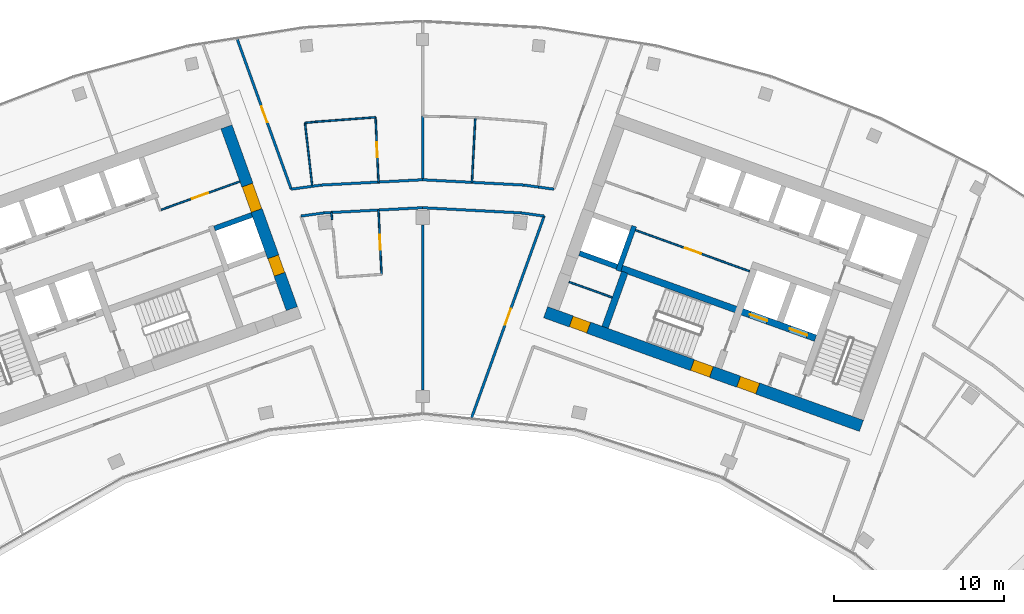
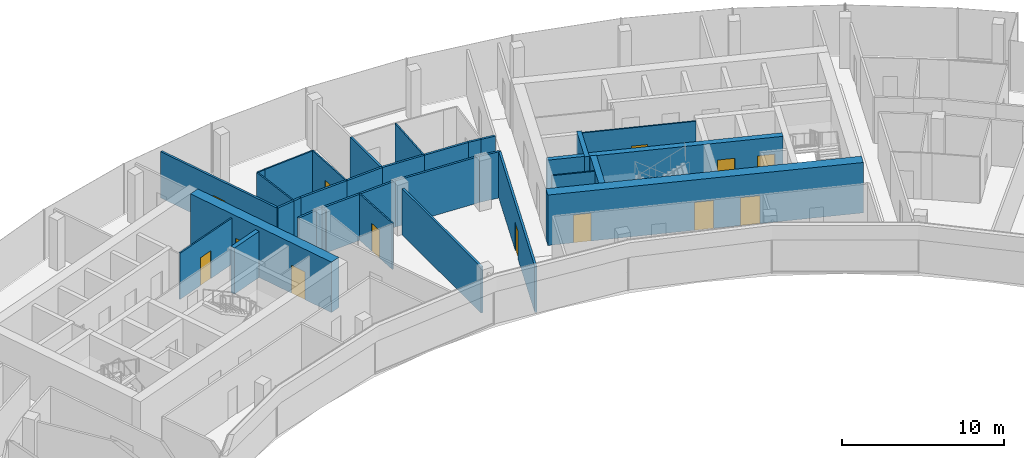
# One storey, part 14 of 18: 35 walls, 13 doors, 13 openings.
"""IFC4 building model written with IfcOpenShell, lengths in metres."""

from ifc_helpers import new_model, si_unit, direction, frame, frame_2d, origin, place, context, subcontext, project, spatial, rectangle, extrude, material, layer, layer_set, type_object, element, fill, save


model = new_model("IFC4")

# Units and contexts
model_context = context("Model", 3, precision=1e-05, world=origin(), true_north=direction((0.0, 1.0)))
body_context = subcontext(model_context, "Body", "Model", "MODEL_VIEW")
ifc_project = project(units=[si_unit("LENGTHUNIT", "METRE"), si_unit("AREAUNIT", "SQUARE_METRE"), si_unit("VOLUMEUNIT", "CUBIC_METRE"), si_unit("PLANEANGLEUNIT", "RADIAN"), si_unit("MASSUNIT", "GRAM", prefix="KILO")], contexts=[model_context])

# Site, building, storey
site_placement = place(None, origin())
site = spatial("IfcSite", under=ifc_project, at=site_placement, CompositionType="ELEMENT")
building_placement = place(site_placement, origin())
building = spatial("IfcBuilding", under=site, at=building_placement, Name="Stone Belt Terrace Tower", CompositionType="ELEMENT")
storey_placement = place(building_placement, frame((0.0, 0.0, 284.60009765625)))
storey = spatial("IfcBuildingStorey", under=building, at=storey_placement, Name="L69", CompositionType="ELEMENT", Elevation=284.60009765625)

# Wall, opening, door
ifc_material_1 = material(Name="Plasterboard partition")
ifc_layer_1 = layer(ifc_material_1, 0.10009765625)
ifc_layer_set_1 = layer_set([ifc_layer_1], Name="Core partition 100")
wall_type_1 = type_object("IfcWallType", Name="Core partition 100", PredefinedType="PARTITIONING", material=ifc_layer_set_1)
wall_1_placement = place(storey_placement, frame((-15.43798828125, 55.447998046875, 0.0), z_axis=(0.0, 0.0, 1.0), x_axis=(0.940914445113, 0.338644366522, 0.0)))
wall_1 = element("IfcWall", 1, at=wall_1_placement, inside=storey, type_object=wall_type_1, Name="Core A wall", PredefinedType="PARTITIONING", context=body_context, shape_type="SweptSolid", body=[
    extrude(rectangle(XDim=4.949951171875, YDim=0.10009765625, at=frame_2d((2.47509765625, 0.0))), origin(), (0.0, 0.0, 1.0), 3.47998046875),
])
opening_1_placement = place(wall_1_placement, frame((1.949951171875, 0.0, 0.0)))
opening_1 = element("IfcOpeningElement", 2, at=opening_1_placement, cuts=wall_1, Name="Opening L69-C01", PredefinedType="OPENING", context=body_context, shape_type="SweptSolid", body=[
    extrude(rectangle(XDim=1.0, YDim=2.10009765625, at=frame_2d((0.5, 1.050048828125))), frame((0.0, 0.06005859375, 0.0), z_axis=(0.0, -1.0, 0.0), x_axis=(1.0, 0.0, 0.0)), (0.0, 0.0, 1.0), 0.1201171875),
])
ifc_material_2 = material(Name="Timber door leaf", Category="wood")
door_type_1 = type_object("IfcDoorType", Name="Core room door 1000", OperationType="SINGLE_SWING_LEFT", PredefinedType="DOOR", material=ifc_material_2)
door_1_placement = place(opening_1_placement, origin())
door_1 = element("IfcDoor", 3, at=door_1_placement, inside=storey, type_object=door_type_1, Name="Door to Server room core A", OperationType="SINGLE_SWING_RIGHT", OverallHeight=2.10009765625, OverallWidth=1.0, PredefinedType="DOOR", context=body_context, shape_type="SweptSolid", body=[
    extrude(rectangle(XDim=1.0, YDim=2.10009765625, at=frame_2d((0.5, 1.050048828125))), frame((0.0, 0.02490234375, 0.0), z_axis=(0.0, -1.0, 0.0), x_axis=(1.0, 0.0, 0.0)), (0.0, 0.0, 1.0), 0.050048828125),
])
fill(opening_1, door_1)

wall_2_placement = place(storey_placement, frame((19.29052734375, 51.829833984375, 0.0), z_axis=(0.0, 0.0, 1.0), x_axis=(-0.94092179465, 0.338623945331, 0.0)))
wall_2 = element("IfcWall", 4, at=wall_2_placement, inside=storey, type_object=wall_type_1, Name="Core B wall", PredefinedType="PARTITIONING", context=body_context, shape_type="SweptSolid", body=[
    extrude(rectangle(XDim=7.14990234375, YDim=0.10009765625, at=frame_2d((3.574951171875, 0.0))), origin(), (0.0, 0.0, 1.0), 3.47998046875),
])
opening_2_placement = place(wall_2_placement, frame((3.050048828125, 0.0, 0.0)))
opening_2 = element("IfcOpeningElement", 5, at=opening_2_placement, cuts=wall_2, Name="Opening L69-C13", PredefinedType="OPENING", context=body_context, shape_type="SweptSolid", body=[
    extrude(rectangle(XDim=1.0, YDim=2.10009765625, at=frame_2d((0.5, 1.050048828125))), frame((0.0, 0.06005859375, 0.0), z_axis=(0.0, -1.0, 0.0), x_axis=(1.0, 0.0, 0.0)), (0.0, 0.0, 1.0), 0.1201171875),
])
door_2_placement = place(opening_2_placement, origin())
door_2 = element("IfcDoor", 6, at=door_2_placement, inside=storey, type_object=door_type_1, Name="Door to Plant room core B", OperationType="SINGLE_SWING_LEFT", OverallHeight=2.10009765625, OverallWidth=1.0, PredefinedType="DOOR", context=body_context, shape_type="SweptSolid", body=[
    extrude(rectangle(XDim=1.0, YDim=2.10009765625, at=frame_2d((0.5, 1.050048828125))), frame((0.0, 0.02490234375, 0.0), z_axis=(0.0, -1.0, 0.0), x_axis=(1.0, 0.0, 0.0)), (0.0, 0.0, 1.0), 0.050048828125),
])
fill(opening_2, door_2)

# Wall
wall_3_placement = place(storey_placement, frame((11.187744140625, 50.2822265625, 0.0), z_axis=(0.0, 0.0, 1.0), x_axis=(-0.940949642365, 0.338546555931, 0.0)))
element("IfcWall", 7, at=wall_3_placement, inside=storey, type_object=wall_type_1, Name="Core B wall", PredefinedType="PARTITIONING", context=body_context, shape_type="SweptSolid", body=[
    extrude(rectangle(XDim=2.699951171875, YDim=0.10009765625, at=frame_2d((1.35009765625, 0.0))), origin(), (0.0, 0.0, 1.0), 3.47998046875),
])

# Wall, openings, doors
ifc_material_3 = material(Name="Concrete B60", Category="concrete")
ifc_layer_2 = layer(ifc_material_3, 0.699951171875)
ifc_layer_set_2 = layer_set([ifc_layer_2], Name="Core wall 700 B60")
wall_type_2 = type_object("IfcWallType", Name="Core wall 700 B60", PredefinedType="SHEAR", material=ifc_layer_set_2)
wall_4_placement = place(storey_placement, frame((-7.70849609375, 49.621337890625, 0.0), z_axis=(0.0, 0.0, 1.0), x_axis=(-0.338606471282, 0.940928083121, 0.0)))
wall_4 = element("IfcWall", 8, at=wall_4_placement, inside=storey, type_object=wall_type_2, Name="Core A wall end_b L69", PredefinedType="SHEAR", context=body_context, shape_type="SweptSolid", body=[
    extrude(rectangle(XDim=11.39990234375, YDim=0.699951171875, at=frame_2d((5.699951171875, 0.0))), origin(), (0.0, 0.0, 1.0), 3.7998046875),
])
opening_3_placement = place(wall_4_placement, frame((6.14990234375, 0.0, 0.0)))
opening_3 = element("IfcOpeningElement", 9, at=opening_3_placement, cuts=wall_4, Name="Opening L69-C04", PredefinedType="OPENING", context=body_context, shape_type="SweptSolid", body=[
    extrude(rectangle(XDim=1.60009765625, YDim=2.10009765625, at=frame_2d((0.800048828125, 1.050048828125))), frame((0.0, 0.35986328125, 0.0), z_axis=(0.0, -1.0, 0.0), x_axis=(1.0, 0.0, 0.0)), (0.0, 0.0, 1.0), 0.719970703125),
])
opening_4_placement = place(wall_4_placement, frame((2.14990234375, 0.0, 0.0)))
opening_4 = element("IfcOpeningElement", 10, at=opening_4_placement, cuts=wall_4, Name="Opening L69-C10", PredefinedType="OPENING", context=body_context, shape_type="SweptSolid", body=[
    extrude(rectangle(XDim=1.10009765625, YDim=2.10009765625, at=frame_2d((0.550048828125, 1.050048828125))), frame((0.0, 0.35986328125, 0.0), z_axis=(0.0, -1.0, 0.0), x_axis=(1.0, 0.0, 0.0)), (0.0, 0.0, 1.0), 0.719970703125),
])
door_type_2 = type_object("IfcDoorType", Name="Core room door 1100", OperationType="SINGLE_SWING_LEFT", PredefinedType="DOOR", material=ifc_material_2)
door_3_placement = place(opening_4_placement, origin())
door_3 = element("IfcDoor", 11, at=door_3_placement, inside=storey, type_object=door_type_2, Name="Door to Accessible WC core A", OperationType="SINGLE_SWING_LEFT", OverallHeight=2.10009765625, OverallWidth=1.10009765625, PredefinedType="DOOR", context=body_context, shape_type="SweptSolid", body=[
    extrude(rectangle(XDim=1.10009765625, YDim=2.10009765625, at=frame_2d((0.550048828125, 1.050048828125))), frame((0.0, 0.330078125, 0.0), z_axis=(0.0, -1.0, 0.0), x_axis=(1.0, 0.0, 0.0)), (0.0, 0.0, 1.0), 0.659912109375),
])
fill(opening_4, door_3)
ifc_material_4 = material(Name="Glazed aluminium door leaf", Category="aluminium")
door_type_3 = type_object("IfcDoorType", Name="Lift lobby entrance door 1600", OperationType="DOUBLE_DOOR_SINGLE_SWING", PredefinedType="DOOR", material=ifc_material_4)
door_4_placement = place(opening_3_placement, origin())
door_4 = element("IfcDoor", 12, at=door_4_placement, inside=storey, type_object=door_type_3, Name="Lift lobby entrance door core A", OperationType="DOUBLE_DOOR_SINGLE_SWING", OverallHeight=2.10009765625, OverallWidth=1.60009765625, PredefinedType="DOOR", context=body_context, shape_type="SweptSolid", body=[
    extrude(rectangle(XDim=1.60009765625, YDim=2.10009765625, at=frame_2d((0.800048828125, 1.050048828125))), frame((0.0, 0.330078125, 0.0), z_axis=(0.0, -1.0, 0.0), x_axis=(1.0, 0.0, 0.0)), (0.0, 0.0, 1.0), 0.659912109375),
])
fill(opening_3, door_4)

wall_5_placement = place(storey_placement, frame((7.260498046875, 49.410400390625, 0.0), z_axis=(0.0, 0.0, 1.0), x_axis=(0.940925130461, -0.338614676094, 0.0)))
wall_5 = element("IfcWall", 13, at=wall_5_placement, inside=storey, type_object=wall_type_2, Name="Core B wall concave L69", PredefinedType="SHEAR", context=body_context, shape_type="SweptSolid", body=[
    extrude(rectangle(XDim=19.800048828125, YDim=0.699951171875, at=frame_2d((9.89990234375, 0.0))), origin(), (0.0, 0.0, 1.0), 3.7998046875),
])
opening_5_placement = place(wall_5_placement, frame((12.10009765625, 0.0, 0.0)))
opening_5 = element("IfcOpeningElement", 14, at=opening_5_placement, cuts=wall_5, Name="Opening L69-C18", PredefinedType="OPENING", context=body_context, shape_type="SweptSolid", body=[
    extrude(rectangle(XDim=1.199951171875, YDim=2.10009765625, at=frame_2d((0.60009765625, 1.050048828125))), frame((0.0, 0.35986328125, 0.0), z_axis=(0.0, -1.0, 0.0), x_axis=(1.0, 0.0, 0.0)), (0.0, 0.0, 1.0), 0.719970703125),
])
opening_6_placement = place(wall_5_placement, frame((9.2001953125, 0.0, 0.0)))
opening_6 = element("IfcOpeningElement", 15, at=opening_6_placement, cuts=wall_5, Name="Opening L69-C20", PredefinedType="OPENING", context=body_context, shape_type="SweptSolid", body=[
    extrude(rectangle(XDim=1.199951171875, YDim=2.10009765625, at=frame_2d((0.60009765625, 1.050048828125))), frame((0.0, 0.35986328125, 0.0), z_axis=(0.0, -1.0, 0.0), x_axis=(1.0, 0.0, 0.0)), (0.0, 0.0, 1.0), 0.719970703125),
])
opening_7_placement = place(wall_5_placement, frame((1.60009765625, 0.0, 0.0)))
opening_7 = element("IfcOpeningElement", 16, at=opening_7_placement, cuts=wall_5, Name="Opening L69-C22", PredefinedType="OPENING", context=body_context, shape_type="SweptSolid", body=[
    extrude(rectangle(XDim=1.10009765625, YDim=2.10009765625, at=frame_2d((0.550048828125, 1.050048828125))), frame((0.0, 0.35986328125, 0.0), z_axis=(0.0, -1.0, 0.0), x_axis=(1.0, 0.0, 0.0)), (0.0, 0.0, 1.0), 0.719970703125),
])
door_5_placement = place(opening_7_placement, origin())
door_5 = element("IfcDoor", 17, at=door_5_placement, inside=storey, type_object=door_type_2, Name="Door to Cleaner's store core B", OperationType="SINGLE_SWING_LEFT", OverallHeight=2.10009765625, OverallWidth=1.10009765625, PredefinedType="DOOR", context=body_context, shape_type="SweptSolid", body=[
    extrude(rectangle(XDim=1.10009765625, YDim=2.10009765625, at=frame_2d((0.550048828125, 1.050048828125))), frame((0.0, 0.330078125, 0.0), z_axis=(0.0, -1.0, 0.0), x_axis=(1.0, 0.0, 0.0)), (0.0, 0.0, 1.0), 0.659912109375),
])
fill(opening_7, door_5)
ifc_material_5 = material(Name="Steel door leaf", Category="steel")
door_type_4 = type_object("IfcDoorType", Name="Fire-fighting lobby door 1200", OperationType="SINGLE_SWING_LEFT", PredefinedType="DOOR", material=ifc_material_5)
door_6_placement = place(opening_5_placement, origin())
door_6 = element("IfcDoor", 18, at=door_6_placement, inside=storey, type_object=door_type_4, Name="Fire-fighting lobby door core B", OperationType="SINGLE_SWING_LEFT", OverallHeight=2.10009765625, OverallWidth=1.199951171875, PredefinedType="DOOR", context=body_context, shape_type="SweptSolid", body=[
    extrude(rectangle(XDim=1.199951171875, YDim=2.10009765625, at=frame_2d((0.60009765625, 1.050048828125))), frame((0.0, 0.330078125, 0.0), z_axis=(0.0, -1.0, 0.0), x_axis=(1.0, 0.0, 0.0)), (0.0, 0.0, 1.0), 0.659912109375),
])
fill(opening_5, door_6)
door_type_5 = type_object("IfcDoorType", Name="Stair door 1200", OperationType="SINGLE_SWING_LEFT", PredefinedType="DOOR", material=ifc_material_5)
door_7_placement = place(opening_6_placement, origin())
door_7 = element("IfcDoor", 19, at=door_7_placement, inside=storey, type_object=door_type_5, Name="Stair 2 exit door core B", OperationType="SINGLE_SWING_RIGHT", OverallHeight=2.10009765625, OverallWidth=1.199951171875, PredefinedType="DOOR", context=body_context, shape_type="SweptSolid", body=[
    extrude(rectangle(XDim=1.199951171875, YDim=2.10009765625, at=frame_2d((0.60009765625, 1.050048828125))), frame((0.0, 0.330078125, 0.0), z_axis=(0.0, -1.0, 0.0), x_axis=(1.0, 0.0, 0.0)), (0.0, 0.0, 1.0), 0.659912109375),
])
fill(opening_6, door_7)

# Walls
ifc_material_6 = material(Name="Concrete B80", Category="concrete")
ifc_layer_3 = layer(ifc_material_6, 0.300048828125)
ifc_layer_set_3 = layer_set([ifc_layer_3], Name="Lift shaft wall 300")
wall_type_3 = type_object("IfcWallType", Name="Lift shaft wall 300", PredefinedType="SHEAR", material=ifc_layer_set_3)
wall_6_placement = place(storey_placement, frame((-12.280517578125, 54.3525390625, 0.0), z_axis=(0.0, 0.0, 1.0), x_axis=(0.940925816745, 0.338612769078, 0.0)))
element("IfcWall", 20, at=wall_6_placement, inside=storey, type_object=wall_type_3, Name="Core A wall", PredefinedType="SHEAR", context=body_context, shape_type="SweptSolid", body=[
    extrude(rectangle(XDim=2.349853515625, YDim=0.300048828125, at=frame_2d((1.1748046875, 0.0))), origin(), (0.0, 0.0, 1.0), 3.47998046875),
])
wall_7_placement = place(storey_placement, frame((11.541259765625, 51.85546875, 0.0), z_axis=(0.0, 0.0, 1.0), x_axis=(0.338660803216, 0.940908529223, 0.0)))
element("IfcWall", 21, at=wall_7_placement, inside=storey, type_object=wall_type_3, Name="Core B wall", PredefinedType="SHEAR", context=body_context, shape_type="SweptSolid", body=[
    extrude(rectangle(XDim=2.800048828125, YDim=0.300048828125, at=frame_2d((1.39990234375, 0.0))), origin(), (0.0, 0.0, 1.0), 3.47998046875),
])
wall_8_placement = place(storey_placement, frame((11.468017578125, 52.09423828125, 0.0), z_axis=(0.0, 0.0, 1.0), x_axis=(-0.940904627055, 0.338671644496, 0.0)))
element("IfcWall", 22, at=wall_8_placement, inside=storey, type_object=wall_type_3, Name="Core B wall", PredefinedType="SHEAR", context=body_context, shape_type="SweptSolid", body=[
    extrude(rectangle(XDim=2.35009765625, YDim=0.300048828125, at=frame_2d((1.175048828125, 0.0))), origin(), (0.0, 0.0, 1.0), 3.47998046875),
])
ifc_material_7 = material(Name="Gypsum board partition")
ifc_layer_4 = layer(ifc_material_7, 0.10009765625)
ifc_layer_set_4 = layer_set([ifc_layer_4], Name="PARTITION 100")
wall_type_4 = type_object("IfcWallType", Name="PARTITION 100", PredefinedType="PARTITIONING", material=ifc_layer_set_4)
wall_9_placement = place(storey_placement, frame((-5.3759765625, 55.2939453125, 0.0), z_axis=(0.0, 0.0, 1.0), x_axis=(0.096947507104, -0.995289496009, 0.0)))
element("IfcWall", 23, at=wall_9_placement, inside=storey, type_object=wall_type_4, Name="L69/wall/i093", PredefinedType="PARTITIONING", context=body_context, shape_type="SweptSolid", body=[
    extrude(rectangle(XDim=0.425537109375, YDim=0.10009765625, at=frame_2d((0.212890625, 0.0))), origin(), (0.0, 0.0, 1.0), 3.47998046875),
])

# Wall, opening, door
wall_10_placement = place(storey_placement, frame((-2.4208984375, 51.64697265625, 0.0), z_axis=(0.0, 0.0, 1.0), x_axis=(-0.04662705809, 0.998912367254, 0.0)))
wall_10 = element("IfcWall", 24, at=wall_10_placement, inside=storey, type_object=wall_type_4, Name="L69/wall/i096", PredefinedType="PARTITIONING", context=body_context, shape_type="SweptSolid", body=[
    extrude(rectangle(XDim=3.796142578125, YDim=0.10009765625, at=frame_2d((1.89794921875, 0.0))), origin(), (0.0, 0.0, 1.0), 3.47998046875),
])
opening_8_placement = place(wall_10_placement, frame((1.447998046875, 0.0, 0.0)))
opening_8 = element("IfcOpeningElement", 25, at=opening_8_placement, cuts=wall_10, Name="Opening D-E3-25", PredefinedType="OPENING", context=body_context, shape_type="SweptSolid", body=[
    extrude(rectangle(XDim=0.89990234375, YDim=2.10009765625, at=frame_2d((0.449951171875, 1.050048828125))), frame((0.0, 0.06005859375, 0.0), z_axis=(0.0, -1.0, 0.0), x_axis=(1.0, 0.0, 0.0)), (0.0, 0.0, 1.0), 0.1201171875),
])
door_type_6 = type_object("IfcDoorType", Name="OFFICE DOOR 900 X 2100", OperationType="NOTDEFINED", PredefinedType="DOOR", material=ifc_material_2)
door_8_placement = place(opening_8_placement, origin())
door_8 = element("IfcDoor", 26, at=door_8_placement, inside=storey, type_object=door_type_6, Name="L69/door/i25", OperationType="SINGLE_SWING_RIGHT", OverallHeight=2.10009765625, OverallWidth=0.89990234375, PredefinedType="DOOR", context=body_context, shape_type="SweptSolid", body=[
    extrude(rectangle(XDim=0.89990234375, YDim=2.10009765625, at=frame_2d((0.449951171875, 1.050048828125))), frame((0.0, 0.02490234375, 0.0), z_axis=(0.0, -1.0, 0.0), x_axis=(1.0, 0.0, 0.0)), (0.0, 0.0, 1.0), 0.050048828125),
])
fill(opening_8, door_8)

wall_11_placement = place(storey_placement, frame((-2.597900390625, 57.089111328125, 0.0), z_axis=(0.0, 0.0, 1.0), x_axis=(-0.045511896939, 0.99896379676, 0.0)))
wall_11 = element("IfcWall", 27, at=wall_11_placement, inside=storey, type_object=wall_type_4, Name="L69/wall/i099", PredefinedType="PARTITIONING", context=body_context, shape_type="SweptSolid", body=[
    extrude(rectangle(XDim=3.82470703125, YDim=0.10009765625, at=frame_2d((1.912353515625, 0.0))), origin(), (0.0, 0.0, 1.0), 3.47998046875),
])
opening_9_placement = place(wall_11_placement, frame((1.46240234375, 0.0, 0.0)))
opening_9 = element("IfcOpeningElement", 28, at=opening_9_placement, cuts=wall_11, Name="Opening D-E3-28", PredefinedType="OPENING", context=body_context, shape_type="SweptSolid", body=[
    extrude(rectangle(XDim=0.89990234375, YDim=2.10009765625, at=frame_2d((0.449951171875, 1.050048828125))), frame((0.0, 0.06005859375, 0.0), z_axis=(0.0, -1.0, 0.0), x_axis=(1.0, 0.0, 0.0)), (0.0, 0.0, 1.0), 0.1201171875),
])
door_9_placement = place(opening_9_placement, origin())
door_9 = element("IfcDoor", 29, at=door_9_placement, inside=storey, type_object=door_type_6, Name="L69/door/i28", OperationType="SINGLE_SWING_RIGHT", OverallHeight=2.10009765625, OverallWidth=0.89990234375, PredefinedType="DOOR", context=body_context, shape_type="SweptSolid", body=[
    extrude(rectangle(XDim=0.89990234375, YDim=2.10009765625, at=frame_2d((0.449951171875, 1.050048828125))), frame((0.0, 0.02490234375, 0.0), z_axis=(0.0, -1.0, 0.0), x_axis=(1.0, 0.0, 0.0)), (0.0, 0.0, 1.0), 0.050048828125),
])
fill(opening_9, door_9)

# Walls
wall_12_placement = place(storey_placement, frame((-2.77197265625, 60.909912109375, 0.0), z_axis=(0.0, 0.0, 1.0), x_axis=(-0.997180370345, -0.075042048209, 0.0)))
element("IfcWall", 30, at=wall_12_placement, inside=storey, type_object=wall_type_4, Name="L69/wall/i100", PredefinedType="PARTITIONING", context=body_context, shape_type="SweptSolid", body=[
    extrude(rectangle(XDim=3.611328125, YDim=0.10009765625, at=frame_2d((1.8056640625, 0.0))), origin(), (0.0, 0.0, 1.0), 3.47998046875),
])
wall_13_placement = place(storey_placement, frame((-6.373046875, 60.638916015625, 0.0), z_axis=(0.0, 0.0, 1.0), x_axis=(-0.993946868036, -0.109861838329, 0.0)))
element("IfcWall", 31, at=wall_13_placement, inside=storey, type_object=wall_type_4, Name="L69/wall/i101", PredefinedType="PARTITIONING", context=body_context, shape_type="SweptSolid", body=[
    extrude(rectangle(XDim=0.564453125, YDim=0.10009765625, at=frame_2d((0.2822265625, 0.0))), origin(), (0.0, 0.0, 1.0), 3.47998046875),
])
wall_14_placement = place(storey_placement, frame((-6.93408203125, 60.576904296875, 0.0), z_axis=(0.0, 0.0, 1.0), x_axis=(0.113786402669, -0.993505236306, 0.0)))
element("IfcWall", 32, at=wall_14_placement, inside=storey, type_object=wall_type_4, Name="L69/wall/i102", PredefinedType="PARTITIONING", context=body_context, shape_type="SweptSolid", body=[
    extrude(rectangle(XDim=3.76123046875, YDim=0.10009765625, at=frame_2d((1.880615234375, 0.0))), origin(), (0.0, 0.0, 1.0), 3.47998046875),
])
wall_15_placement = place(storey_placement, frame((3.111083984375, 60.89404296875, 0.0), z_axis=(0.0, 0.0, 1.0), x_axis=(-0.050971662718, -0.99870009993, 0.0)))
element("IfcWall", 33, at=wall_15_placement, inside=storey, type_object=wall_type_4, Name="L69/wall/i110", PredefinedType="PARTITIONING", context=body_context, shape_type="SweptSolid", body=[
    extrude(rectangle(XDim=3.826904296875, YDim=0.10009765625, at=frame_2d((1.91357421875, 0.0))), origin(), (0.0, 0.0, 1.0), 3.47998046875),
])

# Wall, opening, door
ifc_layer_5 = layer(ifc_material_7, 0.14990234375)
ifc_layer_set_5 = layer_set([ifc_layer_5], Name="PARTITION 150 EI 60")
wall_type_5 = type_object("IfcWallType", Name="PARTITION 150 EI 60", PredefinedType="PARTITIONING", material=ifc_layer_set_5)
wall_16_placement = place(storey_placement, frame((-10.9267578125, 65.504150390625, 0.0), z_axis=(0.0, 0.0, 1.0), x_axis=(0.338644933311, -0.94091424112, 0.0)))
wall_16 = element("IfcWall", 34, at=wall_16_placement, inside=storey, type_object=wall_type_5, Name="L69/wall/i012", PredefinedType="PARTITIONING", context=body_context, shape_type="SweptSolid", body=[
    extrude(rectangle(XDim=9.395263671875, YDim=0.14990234375, at=frame_2d((4.69775390625, 0.0))), origin(), (0.0, 0.0, 1.0), 3.47998046875),
])
opening_10_placement = place(wall_16_placement, frame((4.19775390625, 0.0, 0.0)))
opening_10 = element("IfcOpeningElement", 35, at=opening_10_placement, cuts=wall_16, Name="Opening D-E3-27", PredefinedType="OPENING", context=body_context, shape_type="SweptSolid", body=[
    extrude(rectangle(XDim=1.0, YDim=2.10009765625, at=frame_2d((0.5, 1.050048828125))), frame((0.0, 0.0849609375, 0.0), z_axis=(0.0, -1.0, 0.0), x_axis=(1.0, 0.0, 0.0)), (0.0, 0.0, 1.0), 0.169921875),
])
ifc_material_8 = material(Name="Timber fire door leaf", Category="wood")
door_type_7 = type_object("IfcDoorType", Name="TENANCY ENTRANCE DOOR 1000 X 2100", OperationType="NOTDEFINED", PredefinedType="DOOR", material=ifc_material_8)
door_10_placement = place(opening_10_placement, origin())
door_10 = element("IfcDoor", 36, at=door_10_placement, inside=storey, type_object=door_type_7, Name="L69/door/i27", OperationType="SINGLE_SWING_RIGHT", OverallHeight=2.10009765625, OverallWidth=1.0, PredefinedType="DOOR", context=body_context, shape_type="SweptSolid", body=[
    extrude(rectangle(XDim=1.0, YDim=2.10009765625, at=frame_2d((0.5, 1.050048828125))), frame((0.0, 0.02490234375, 0.0), z_axis=(0.0, -1.0, 0.0), x_axis=(1.0, 0.0, 0.0)), (0.0, 0.0, 1.0), 0.050048828125),
])
fill(opening_10, door_10)

wall_17_placement = place(storey_placement, frame((2.89794921875, 43.1953125, 0.0), z_axis=(0.0, 0.0, 1.0), x_axis=(0.338597725617, 0.940931230328, 0.0)))
wall_17 = element("IfcWall", 37, at=wall_17_placement, inside=storey, type_object=wall_type_5, Name="L69/wall/i019", PredefinedType="PARTITIONING", context=body_context, shape_type="SweptSolid", body=[
    extrude(rectangle(XDim=12.640380859375, YDim=0.14990234375, at=frame_2d((6.3203125, 0.0))), origin(), (0.0, 0.0, 1.0), 3.47998046875),
])
opening_11_placement = place(wall_17_placement, frame((5.820068359375, 0.0, 0.0)))
opening_11 = element("IfcOpeningElement", 38, at=opening_11_placement, cuts=wall_17, Name="Opening D-E3-26", PredefinedType="OPENING", context=body_context, shape_type="SweptSolid", body=[
    extrude(rectangle(XDim=1.0, YDim=2.10009765625, at=frame_2d((0.5, 1.050048828125))), frame((0.0, 0.0849609375, 0.0), z_axis=(0.0, -1.0, 0.0), x_axis=(1.0, 0.0, 0.0)), (0.0, 0.0, 1.0), 0.169921875),
])
door_11_placement = place(opening_11_placement, origin())
door_11 = element("IfcDoor", 39, at=door_11_placement, inside=storey, type_object=door_type_7, Name="L69/door/i26", OperationType="SINGLE_SWING_LEFT", OverallHeight=2.10009765625, OverallWidth=1.0, PredefinedType="DOOR", context=body_context, shape_type="SweptSolid", body=[
    extrude(rectangle(XDim=1.0, YDim=2.10009765625, at=frame_2d((0.5, 1.050048828125))), frame((0.0, 0.02490234375, 0.0), z_axis=(0.0, -1.0, 0.0), x_axis=(1.0, 0.0, 0.0)), (0.0, 0.0, 1.0), 0.050048828125),
])
fill(opening_11, door_11)

# Walls
wall_18_placement = place(storey_placement, frame((-5.3701171875, 55.2939453125, 0.0), z_axis=(0.0, 0.0, 1.0), x_axis=(-0.998636179608, -0.052209010502, 0.0)))
element("IfcWall", 40, at=wall_18_placement, inside=storey, type_object=wall_type_5, Name="L69/wall/i079", PredefinedType="PARTITIONING", context=body_context, shape_type="SweptSolid", body=[
    extrude(rectangle(XDim=0.439453125, YDim=0.14990234375, at=frame_2d((0.2197265625, 0.0))), origin(), (0.0, 0.0, 1.0), 3.47998046875),
])
wall_19_placement = place(storey_placement, frame((-5.80908203125, 55.27099609375, 0.0), z_axis=(0.0, 0.0, 1.0), x_axis=(-0.990675556397, -0.136242217972, 0.0)))
element("IfcWall", 41, at=wall_19_placement, inside=storey, type_object=wall_type_5, Name="L69/wall/i080", PredefinedType="PARTITIONING", context=body_context, shape_type="SweptSolid", body=[
    extrude(rectangle(XDim=1.3798828125, YDim=0.14990234375, at=frame_2d((0.68994140625, 0.0))), origin(), (0.0, 0.0, 1.0), 3.47998046875),
])
wall_20_placement = place(storey_placement, frame((0.0, 55.574951171875, 0.0), z_axis=(0.0, 0.0, 1.0), x_axis=(-0.998639213292, -0.052150950854, 0.0)))
element("IfcWall", 42, at=wall_20_placement, inside=storey, type_object=wall_type_5, Name="L69/wall/i081", PredefinedType="PARTITIONING", context=body_context, shape_type="SweptSolid", body=[
    extrude(rectangle(XDim=2.607666015625, YDim=0.14990234375, at=frame_2d((1.3037109375, 0.0))), origin(), (0.0, 0.0, 1.0), 3.47998046875),
])
wall_21_placement = place(storey_placement, frame((-2.592041015625, 55.43896484375, 0.0), z_axis=(0.0, 0.0, 1.0), x_axis=(-0.998633715492, -0.052256121969, 0.0)))
element("IfcWall", 43, at=wall_21_placement, inside=storey, type_object=wall_type_5, Name="L69/wall/i082", PredefinedType="PARTITIONING", context=body_context, shape_type="SweptSolid", body=[
    extrude(rectangle(XDim=2.7939453125, YDim=0.14990234375, at=frame_2d((1.39697265625, 0.0))), origin(), (0.0, 0.0, 1.0), 3.47998046875),
])
wall_22_placement = place(storey_placement, frame((7.176025390625, 55.0830078125, 0.0), z_axis=(0.0, 0.0, 1.0), x_axis=(-0.990675556397, 0.136242217972, 0.0)))
element("IfcWall", 44, at=wall_22_placement, inside=storey, type_object=wall_type_5, Name="L69/wall/i083", PredefinedType="PARTITIONING", context=body_context, shape_type="SweptSolid", body=[
    extrude(rectangle(XDim=1.3798828125, YDim=0.14990234375, at=frame_2d((0.68994140625, 0.0))), origin(), (0.0, 0.0, 1.0), 3.47998046875),
])
wall_23_placement = place(storey_placement, frame((5.80908203125, 55.27099609375, 0.0), z_axis=(0.0, 0.0, 1.0), x_axis=(-0.998633897938, 0.052252635241, 0.0)))
element("IfcWall", 45, at=wall_23_placement, inside=storey, type_object=wall_type_5, Name="L69/wall/i084", PredefinedType="PARTITIONING", context=body_context, shape_type="SweptSolid", body=[
    extrude(rectangle(XDim=5.817138671875, YDim=0.14990234375, at=frame_2d((2.90869140625, 0.0))), origin(), (0.0, 0.0, 1.0), 3.47998046875),
])
wall_24_placement = place(storey_placement, frame((-7.7470703125, 56.669921875, 0.0), z_axis=(0.0, 0.0, 1.0), x_axis=(0.990714141078, 0.135961357262, 0.0)))
element("IfcWall", 46, at=wall_24_placement, inside=storey, type_object=wall_type_5, Name="L69/wall/i085", PredefinedType="PARTITIONING", context=body_context, shape_type="SweptSolid", body=[
    extrude(rectangle(XDim=1.2587890625, YDim=0.14990234375, at=frame_2d((0.62939453125, 0.0))), origin(), (0.0, 0.0, 1.0), 3.47998046875),
])
wall_25_placement = place(storey_placement, frame((-2.60400390625, 57.089111328125, 0.0), z_axis=(0.0, 0.0, 1.0), x_axis=(0.998639213292, 0.052150950854, 0.0)))
element("IfcWall", 47, at=wall_25_placement, inside=storey, type_object=wall_type_5, Name="L69/wall/i086", PredefinedType="PARTITIONING", context=body_context, shape_type="SweptSolid", body=[
    extrude(rectangle(XDim=2.607666015625, YDim=0.14990234375, at=frame_2d((1.3037109375, 0.0))), origin(), (0.0, 0.0, 1.0), 3.47998046875),
])
wall_26_placement = place(storey_placement, frame((-6.511962890625, 56.839111328125, 0.0), z_axis=(0.0, 0.0, 1.0), x_axis=(0.990648796321, 0.136436660571, 0.0)))
element("IfcWall", 48, at=wall_26_placement, inside=storey, type_object=wall_type_5, Name="L69/wall/i087", PredefinedType="PARTITIONING", context=body_context, shape_type="SweptSolid", body=[
    extrude(rectangle(XDim=0.534912109375, YDim=0.14990234375, at=frame_2d((0.267578125, 0.0))), origin(), (0.0, 0.0, 1.0), 3.47998046875),
])
wall_27_placement = place(storey_placement, frame((-5.98193359375, 56.912109375, 0.0), z_axis=(0.0, 0.0, 1.0), x_axis=(0.998639597809, 0.05214358721, 0.0)))
element("IfcWall", 49, at=wall_27_placement, inside=storey, type_object=wall_type_5, Name="L69/wall/i088", PredefinedType="PARTITIONING", context=body_context, shape_type="SweptSolid", body=[
    extrude(rectangle(XDim=3.39453125, YDim=0.14990234375, at=frame_2d((1.697265625, 0.0))), origin(), (0.0, 0.0, 1.0), 3.47998046875),
])
wall_28_placement = place(storey_placement, frame((6.81689453125, 56.797119140625, 0.0), z_axis=(0.0, 0.0, 1.0), x_axis=(0.990779460482, -0.135484540397, 0.0)))
element("IfcWall", 50, at=wall_28_placement, inside=storey, type_object=wall_type_5, Name="L69/wall/i089", PredefinedType="PARTITIONING", context=body_context, shape_type="SweptSolid", body=[
    extrude(rectangle(XDim=0.938720703125, YDim=0.14990234375, at=frame_2d((0.46923828125, 0.0))), origin(), (0.0, 0.0, 1.0), 3.47998046875),
])
wall_29_placement = place(storey_placement, frame((0.0, 57.22509765625, 0.0), z_axis=(0.0, 0.0, 1.0), x_axis=(0.998630706257, -0.052313597863, 0.0)))
element("IfcWall", 51, at=wall_29_placement, inside=storey, type_object=wall_type_5, Name="L69/wall/i090", PredefinedType="PARTITIONING", context=body_context, shape_type="SweptSolid", body=[
    extrude(rectangle(XDim=2.926025390625, YDim=0.14990234375, at=frame_2d((1.462890625, 0.0))), origin(), (0.0, 0.0, 1.0), 3.47998046875),
])
wall_30_placement = place(storey_placement, frame((2.909912109375, 57.072998046875, 0.0), z_axis=(0.0, 0.0, 1.0), x_axis=(0.998631388587, -0.052300571015, 0.0)))
element("IfcWall", 52, at=wall_30_placement, inside=storey, type_object=wall_type_5, Name="L69/wall/i091", PredefinedType="PARTITIONING", context=body_context, shape_type="SweptSolid", body=[
    extrude(rectangle(XDim=3.076171875, YDim=0.14990234375, at=frame_2d((1.5380859375, 0.0))), origin(), (0.0, 0.0, 1.0), 3.47998046875),
])
wall_31_placement = place(storey_placement, frame((5.98193359375, 56.912109375, 0.0), z_axis=(0.0, 0.0, 1.0), x_axis=(0.990722135127, -0.13590309404, 0.0)))
element("IfcWall", 53, at=wall_31_placement, inside=storey, type_object=wall_type_5, Name="L69/wall/i092", PredefinedType="PARTITIONING", context=body_context, shape_type="SweptSolid", body=[
    extrude(rectangle(XDim=0.85498046875, YDim=0.14990234375, at=frame_2d((0.427490234375, 0.0))), origin(), (0.0, 0.0, 1.0), 3.47998046875),
])
wall_32_placement = place(storey_placement, frame((0.0, 54.570068359375, 0.0), z_axis=(0.0, 0.0, 1.0), x_axis=(0.0, -1.0, 0.0)))
element("IfcWall", 54, at=wall_32_placement, inside=storey, type_object=wall_type_5, Name="L69/wall/i097", PredefinedType="PARTITIONING", context=body_context, shape_type="SweptSolid", body=[
    extrude(rectangle(XDim=9.7451171875, YDim=0.14990234375, at=frame_2d((4.87255859375, 0.0))), origin(), (0.0, 0.0, 1.0), 3.47998046875),
])
wall_33_placement = place(storey_placement, frame((0.0, 60.97900390625, 0.0), z_axis=(0.0, 0.0, 1.0), x_axis=(0.0, -1.0, 0.0)))
element("IfcWall", 55, at=wall_33_placement, inside=storey, type_object=wall_type_5, Name="L69/wall/i105", PredefinedType="PARTITIONING", context=body_context, shape_type="SweptSolid", body=[
    extrude(rectangle(XDim=3.75390625, YDim=0.14990234375, at=frame_2d((1.876953125, 0.0))), origin(), (0.0, 0.0, 1.0), 3.47998046875),
])

# Wall, openings, doors
ifc_layer_6 = layer(ifc_material_6, 0.39990234375)
ifc_layer_set_6 = layer_set([ifc_layer_6], Name="Stair enclosure wall 400")
wall_type_6 = type_object("IfcWallType", Name="Stair enclosure wall 400", PredefinedType="SHEAR", material=ifc_layer_set_6)
wall_34_placement = place(storey_placement, frame((23.182373046875, 47.87841796875, 0.0), z_axis=(0.0, 0.0, 1.0), x_axis=(-0.940921731919, 0.338624119641, 0.0)))
wall_34 = element("IfcWall", 56, at=wall_34_placement, inside=storey, type_object=wall_type_6, Name="Core B wall", PredefinedType="SHEAR", context=body_context, shape_type="SweptSolid", body=[
    extrude(rectangle(XDim=12.14990234375, YDim=0.39990234375, at=frame_2d((6.074951171875, 0.0))), origin(), (0.0, 0.0, 1.0), 3.47998046875),
])
opening_12_placement = place(wall_34_placement, frame((0.52001953125, 0.0, 0.0)))
opening_12 = element("IfcOpeningElement", 57, at=opening_12_placement, cuts=wall_34, Name="Opening L69-LD12", PredefinedType="OPENING", context=body_context, shape_type="SweptSolid", body=[
    extrude(rectangle(XDim=1.10009765625, YDim=2.199951171875, at=frame_2d((0.550048828125, 1.10009765625))), frame((0.0, 0.2099609375, 0.0), z_axis=(0.0, -1.0, 0.0), x_axis=(1.0, 0.0, 0.0)), (0.0, 0.0, 1.0), 0.419921875),
])
opening_13_placement = place(wall_34_placement, frame((3.02001953125, 0.0, 0.0)))
opening_13 = element("IfcOpeningElement", 58, at=opening_13_placement, cuts=wall_34, Name="Opening L69-LD13", PredefinedType="OPENING", context=body_context, shape_type="SweptSolid", body=[
    extrude(rectangle(XDim=1.10009765625, YDim=2.199951171875, at=frame_2d((0.550048828125, 1.10009765625))), frame((0.0, 0.2099609375, 0.0), z_axis=(0.0, -1.0, 0.0), x_axis=(1.0, 0.0, 0.0)), (0.0, 0.0, 1.0), 0.419921875),
])
ifc_material_9 = material(Name="Stainless steel door leaf", Category="steel")
door_type_8 = type_object("IfcDoorType", Name="Landing door 1100", OperationType="SLIDING_TO_LEFT", PredefinedType="DOOR", material=ifc_material_9)
door_12_placement = place(opening_12_placement, origin())
door_12 = element("IfcDoor", 59, at=door_12_placement, inside=storey, type_object=door_type_8, Name="Landing door FF1 core B", OperationType="SLIDING_TO_LEFT", OverallHeight=2.199951171875, OverallWidth=1.10009765625, PredefinedType="DOOR", context=body_context, shape_type="SweptSolid", body=[
    extrude(rectangle(XDim=1.10009765625, YDim=2.199951171875, at=frame_2d((0.550048828125, 1.10009765625))), frame((0.0, 0.02490234375, 0.0), z_axis=(0.0, -1.0, 0.0), x_axis=(1.0, 0.0, 0.0)), (0.0, 0.0, 1.0), 0.050048828125),
])
fill(opening_12, door_12)
door_13_placement = place(opening_13_placement, origin())
door_13 = element("IfcDoor", 60, at=door_13_placement, inside=storey, type_object=door_type_8, Name="Landing door FF2 core B", OperationType="SLIDING_TO_LEFT", OverallHeight=2.199951171875, OverallWidth=1.10009765625, PredefinedType="DOOR", context=body_context, shape_type="SweptSolid", body=[
    extrude(rectangle(XDim=1.10009765625, YDim=2.199951171875, at=frame_2d((0.550048828125, 1.10009765625))), frame((0.0, 0.02490234375, 0.0), z_axis=(0.0, -1.0, 0.0), x_axis=(1.0, 0.0, 0.0)), (0.0, 0.0, 1.0), 0.050048828125),
])
fill(opening_13, door_13)

# Wall
wall_35_placement = place(storey_placement, frame((10.766357421875, 48.520751953125, 0.0), z_axis=(0.0, 0.0, 1.0), x_axis=(0.338621735342, 0.94092258999, 0.0)))
element("IfcWall", 61, at=wall_35_placement, inside=storey, type_object=wall_type_6, Name="Core B wall", PredefinedType="SHEAR", context=body_context, shape_type="SweptSolid", body=[
    extrude(rectangle(XDim=3.449951171875, YDim=0.39990234375, at=frame_2d((1.72509765625, 0.0))), origin(), (0.0, 0.0, 1.0), 3.47998046875),
])

save(model, "model.ifc")
